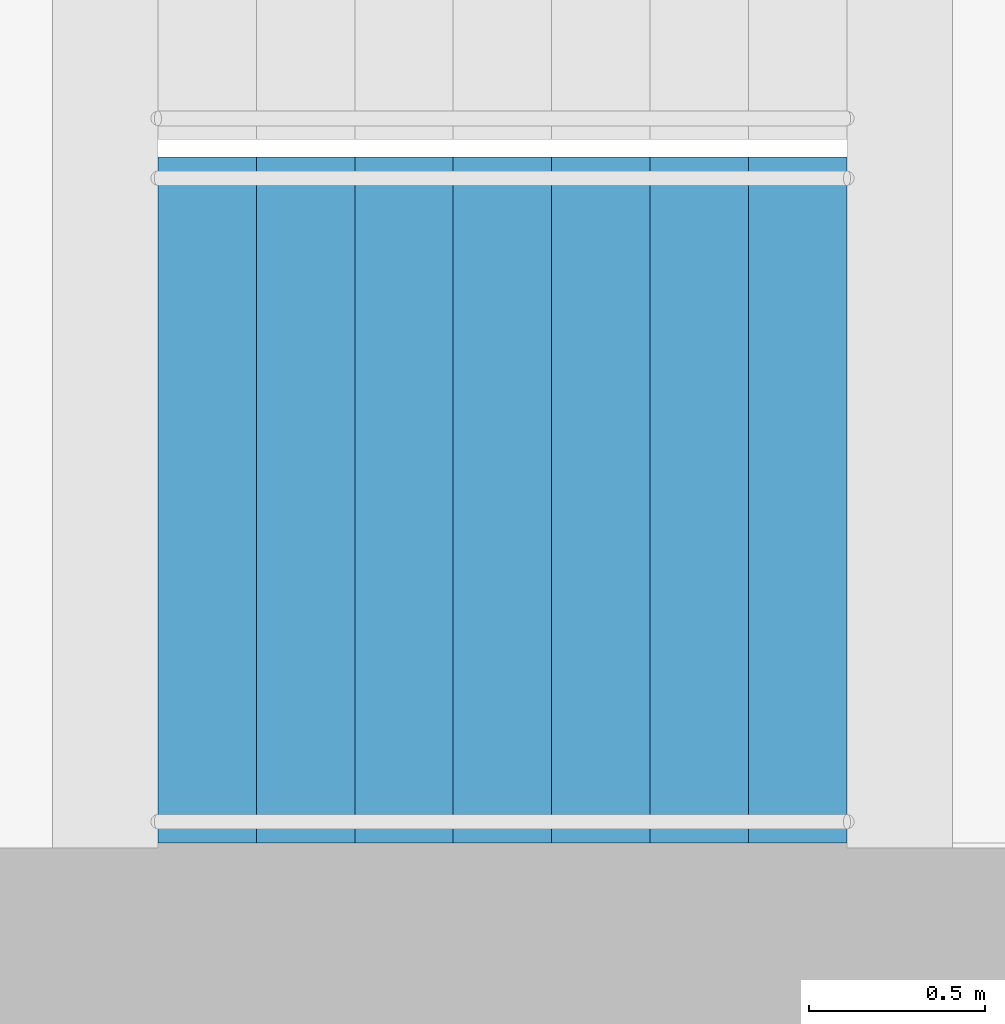
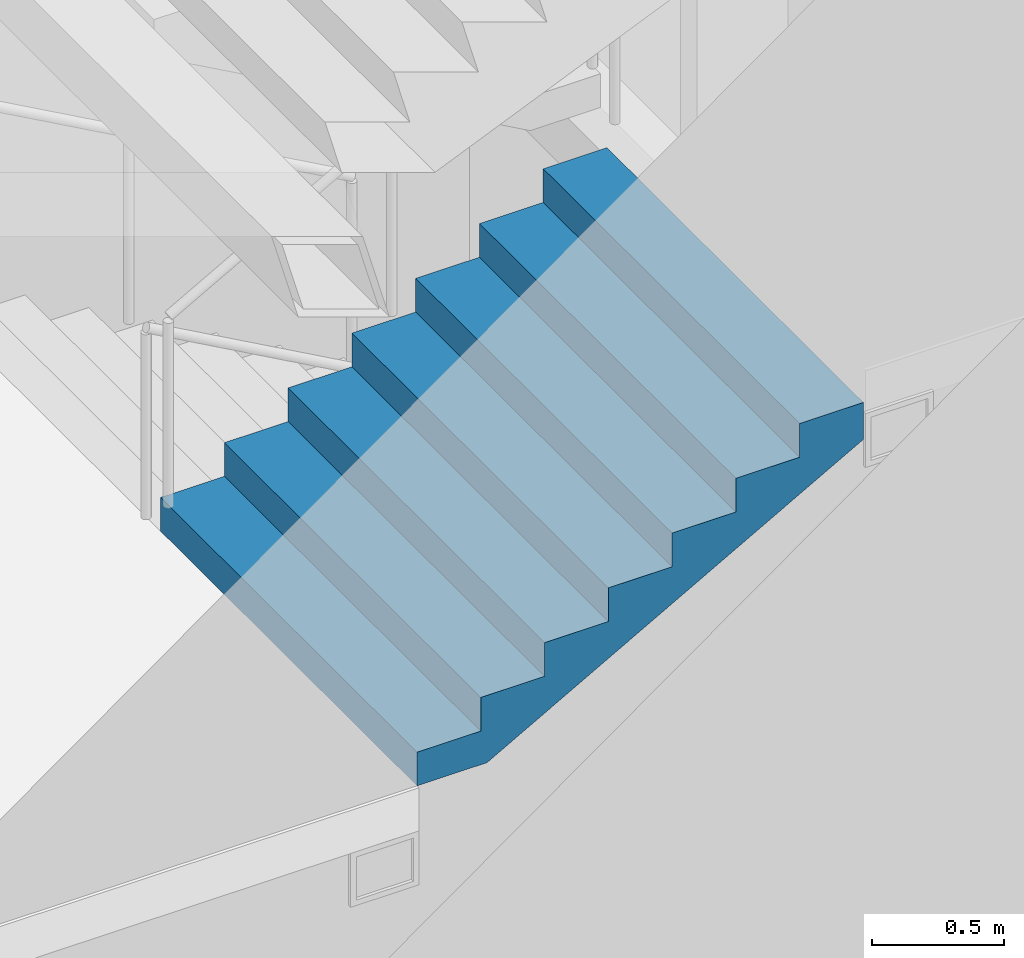
# One storey, part 24 of 37: 1 stair flight, 1 element without a shape of its own.
"""IFC4 building model written with IfcOpenShell, lengths in metres."""

from ifc_helpers import new_model, si_unit, direction, frame, origin, place, context, subcontext, project, spatial, triangles, material, type_object, element, aggregate, save


model = new_model("IFC4")

# Units and contexts
model_context = context("Model", 3, precision=1e-05, world=origin(), true_north=direction((0.0, 1.0)))
body_context = subcontext(model_context, "Body", "Model", "MODEL_VIEW")
ifc_project = project(units=[si_unit("LENGTHUNIT", "METRE"), si_unit("AREAUNIT", "SQUARE_METRE"), si_unit("VOLUMEUNIT", "CUBIC_METRE"), si_unit("PLANEANGLEUNIT", "RADIAN"), si_unit("MASSUNIT", "GRAM", prefix="KILO")], contexts=[model_context])

# Site, building, storey
site_placement = place(None, origin())
site = spatial("IfcSite", under=ifc_project, at=site_placement, CompositionType="ELEMENT")
building_placement = place(site_placement, origin())
building = spatial("IfcBuilding", under=site, at=building_placement, Name="Orbita Commons", CompositionType="ELEMENT")
storey_placement = place(building_placement, frame((0.0, 0.0, 6.0)))
storey = spatial("IfcBuildingStorey", under=building, at=storey_placement, Name="L01", CompositionType="ELEMENT", Elevation=6.0)

# Stair, stair flight
ifc_material_1 = material(Name="Precast concrete C40/50", Category="concrete")
stair_type = type_object("IfcStairType", Name="Exit stair S2 4 flights 8 risers 156", PredefinedType="HALF_TURN_STAIR", material=ifc_material_1)
stair_placement = place(storey_placement, origin())
stair = element("IfcStair", 1, at=stair_placement, inside=storey, type_object=stair_type, Name="Exit stair S2 L01", PredefinedType="HALF_TURN_STAIR")
ifc_material_2 = material(Name="Precast concrete C40/50", Category="concrete")
stair_flight_type = type_object("IfcStairFlightType", Name="Stair flight 8 risers 156 x 280", PredefinedType="STRAIGHT", material=ifc_material_2)
stair_flight_placement = place(storey_placement, frame((61.590087890625, 27.27490234375, 1.25), z_axis=(0.0, 0.0, 1.0), x_axis=(1.0, 0.0, 0.0)))
stair_flight = element("IfcStairFlight", 2, at=stair_flight_placement, type_object=stair_flight_type, Name="S2 flight 2", NumberOfRisers=8, NumberOfTreads=7, PredefinedType="STRAIGHT", RiserHeight=0.15625, TreadLength=0.28, context=body_context, shape_type="Tessellation", body=[
    triangles([(0.0, 0.974976, 0.0), (0.0, 0.974976, 0.019531), (0.0, 0.81248, 0.019531), (0.0, 0.81248, 0.0), (0.0, 0.649984, 0.019531), (0.0, 0.649984, 0.0), (0.0, 0.487488, 0.019531), (0.0, 0.487488, 0.0), (0.0, 0.324992, 0.019531), (0.0, 0.324992, 0.0), (0.0, 0.162496, 0.019531), (0.0, 0.162496, 0.0), (0.0, 0.0, 0.019531), (0.0, 0.0, 0.0), (0.0, -0.162496, 0.019531), (0.0, -0.162496, 0.0), (0.0, -0.324992, 0.019531), (0.0, -0.324992, 0.0), (0.0, -0.487488, 0.019531), (0.0, -0.487488, 0.0), (0.0, -0.649984, 0.019531), (0.0, -0.649984, 0.0), (0.0, -0.81248, 0.019531), (0.0, -0.81248, 0.0), (0.0, -0.974976, 0.019531), (0.0, -0.974976, 0.0), (0.0, 0.974976, 0.039062), (0.0, 0.81248, 0.039062), (0.0, 0.649984, 0.039062), (0.0, 0.487488, 0.039062), (0.0, 0.324992, 0.039062), (0.0, 0.162496, 0.039062), (0.0, 0.0, 0.039062), (0.0, -0.162496, 0.039062), (0.0, -0.324992, 0.039062), (0.0, -0.487488, 0.039062), (0.0, -0.649984, 0.039062), (0.0, -0.81248, 0.039062), (0.0, -0.974976, 0.039062), (0.0, 0.974976, 0.058594), (0.0, 0.81248, 0.058594), (0.0, 0.649984, 0.058594), (0.0, 0.487488, 0.058594), (0.0, 0.324992, 0.058594), (0.0, 0.162496, 0.058594), (0.0, 0.0, 0.058594), (0.0, -0.162496, 0.058594), (0.0, -0.324992, 0.058594), (0.0, -0.487488, 0.058594), (0.0, -0.649984, 0.058594), (0.0, -0.81248, 0.058594), (0.0, -0.974976, 0.058594), (0.0, 0.974976, 0.078125), (0.0, 0.81248, 0.078125), (0.0, 0.649984, 0.078125), (0.0, 0.487488, 0.078125), (0.0, 0.324992, 0.078125), (0.0, 0.162496, 0.078125), (0.0, 0.0, 0.078125), (0.0, -0.162496, 0.078125), (0.0, -0.324992, 0.078125), (0.0, -0.487488, 0.078125), (0.0, -0.649984, 0.078125), (0.0, -0.81248, 0.078125), (0.0, -0.974976, 0.078125), (0.0, 0.974976, 0.097656), (0.0, 0.81248, 0.097656), (0.0, 0.649984, 0.097656), (0.0, 0.487488, 0.097656), (0.0, 0.324992, 0.097656), (0.0, 0.162496, 0.097656), (0.0, 0.0, 0.097656), (0.0, -0.162496, 0.097656), (0.0, -0.324992, 0.097656), (0.0, -0.487488, 0.097656), (0.0, -0.649984, 0.097656), (0.0, -0.81248, 0.097656), (0.0, -0.974976, 0.097656), (0.0, 0.974976, 0.117188), (0.0, 0.81248, 0.117188), (0.0, 0.649984, 0.117188), (0.0, 0.487488, 0.117188), (0.0, 0.324992, 0.117188), (0.0, 0.162496, 0.117188), (0.0, 0.0, 0.117188), (0.0, -0.162496, 0.117188), (0.0, -0.324992, 0.117188), (0.0, -0.487488, 0.117188), (0.0, -0.649984, 0.117188), (0.0, -0.81248, 0.117188), (0.0, -0.974976, 0.117188), (0.0, 0.974976, 0.136719), (0.0, 0.81248, 0.136719), (0.0, 0.649984, 0.136719), (0.0, 0.487488, 0.136719), (0.0, 0.324992, 0.136719), (0.0, 0.162496, 0.136719), (0.0, 0.0, 0.136719), (0.0, -0.162496, 0.136719), (0.0, -0.324992, 0.136719), (0.0, -0.487488, 0.136719), (0.0, -0.649984, 0.136719), (0.0, -0.81248, 0.136719), (0.0, -0.974976, 0.136719), (0.0, 0.974976, 0.15625), (0.0, 0.81248, 0.15625), (0.0, 0.649984, 0.15625), (0.0, 0.487488, 0.15625), (0.0, 0.324992, 0.15625), (0.0, 0.162496, 0.15625), (0.0, 0.0, 0.15625), (0.0, -0.162496, 0.15625), (0.0, -0.324992, 0.15625), (0.0, -0.487488, 0.15625), (0.0, -0.649984, 0.15625), (0.0, -0.81248, 0.15625), (0.0, -0.974976, 0.15625), (0.28, 0.974976, 0.15625), (0.28, 0.81248, 0.15625), (0.28, 0.649984, 0.15625), (0.28, 0.487488, 0.15625), (0.28, 0.324992, 0.15625), (0.28, 0.162496, 0.15625), (0.28, 0.0, 0.15625), (0.28, -0.162496, 0.15625), (0.28, -0.324992, 0.15625), (0.28, -0.487488, 0.15625), (0.28, -0.649984, 0.15625), (0.28, -0.81248, 0.15625), (0.28, -0.974976, 0.15625), (0.28, 0.974976, 0.3125), (0.28, 0.81248, 0.3125), (0.28, 0.649984, 0.3125), (0.28, 0.487488, 0.3125), (0.28, 0.324992, 0.3125), (0.28, 0.162496, 0.3125), (0.28, 0.0, 0.3125), (0.28, -0.162496, 0.3125), (0.28, -0.324992, 0.3125), (0.28, -0.487488, 0.3125), (0.28, -0.649984, 0.3125), (0.28, -0.81248, 0.3125), (0.28, -0.974976, 0.3125), (0.56, 0.974976, 0.3125), (0.56, 0.81248, 0.3125), (0.56, 0.649984, 0.3125), (0.56, 0.487488, 0.3125), (0.56, 0.324992, 0.3125), (0.56, 0.162496, 0.3125), (0.56, 0.0, 0.3125), (0.56, -0.162496, 0.3125), (0.56, -0.324992, 0.3125), (0.56, -0.487488, 0.3125), (0.56, -0.649984, 0.3125), (0.56, -0.81248, 0.3125), (0.56, -0.974976, 0.3125), (0.56, 0.974976, 0.46875), (0.56, 0.81248, 0.46875), (0.56, 0.649984, 0.46875), (0.56, 0.487488, 0.46875), (0.56, 0.324992, 0.46875), (0.56, 0.162496, 0.46875), (0.56, 0.0, 0.46875), (0.56, -0.162496, 0.46875), (0.56, -0.324992, 0.46875), (0.56, -0.487488, 0.46875), (0.56, -0.649984, 0.46875), (0.56, -0.81248, 0.46875), (0.56, -0.974976, 0.46875), (0.84, 0.974976, 0.46875), (0.84, 0.81248, 0.46875), (0.84, 0.649984, 0.46875), (0.84, 0.487488, 0.46875), (0.84, 0.324992, 0.46875), (0.84, 0.162496, 0.46875), (0.84, 0.0, 0.46875), (0.84, -0.162496, 0.46875), (0.84, -0.324992, 0.46875), (0.84, -0.487488, 0.46875), (0.84, -0.649984, 0.46875), (0.84, -0.81248, 0.46875), (0.84, -0.974976, 0.46875), (0.84, 0.974976, 0.625), (0.84, 0.81248, 0.625), (0.84, 0.649984, 0.625), (0.84, 0.487488, 0.625), (0.84, 0.324992, 0.625), (0.84, 0.162496, 0.625), (0.84, 0.0, 0.625), (0.84, -0.162496, 0.625), (0.84, -0.324992, 0.625), (0.84, -0.487488, 0.625), (0.84, -0.649984, 0.625), (0.84, -0.81248, 0.625), (0.84, -0.974976, 0.625), (1.12, 0.974976, 0.625), (1.12, 0.81248, 0.625), (1.12, 0.649984, 0.625), (1.12, 0.487488, 0.625), (1.12, 0.324992, 0.625), (1.12, 0.162496, 0.625), (1.12, 0.0, 0.625), (1.12, -0.162496, 0.625), (1.12, -0.324992, 0.625), (1.12, -0.487488, 0.625), (1.12, -0.649984, 0.625), (1.12, -0.81248, 0.625), (1.12, -0.974976, 0.625), (1.12, 0.974976, 0.78125), (1.12, 0.81248, 0.78125), (1.12, 0.649984, 0.78125), (1.12, 0.487488, 0.78125), (1.12, 0.324992, 0.78125), (1.12, 0.162496, 0.78125), (1.12, 0.0, 0.78125), (1.12, -0.162496, 0.78125), (1.12, -0.324992, 0.78125), (1.12, -0.487488, 0.78125), (1.12, -0.649984, 0.78125), (1.12, -0.81248, 0.78125), (1.12, -0.974976, 0.78125), (1.4, 0.974976, 0.78125), (1.4, 0.81248, 0.78125), (1.4, 0.649984, 0.78125), (1.4, 0.487488, 0.78125), (1.4, 0.324992, 0.78125), (1.4, 0.162496, 0.78125), (1.4, 0.0, 0.78125), (1.4, -0.162496, 0.78125), (1.4, -0.324992, 0.78125), (1.4, -0.487488, 0.78125), (1.4, -0.649984, 0.78125), (1.4, -0.81248, 0.78125), (1.4, -0.974976, 0.78125), (1.4, 0.974976, 0.9375), (1.4, 0.81248, 0.9375), (1.4, 0.649984, 0.9375), (1.4, 0.487488, 0.9375), (1.4, 0.324992, 0.9375), (1.4, 0.162496, 0.9375), (1.4, 0.0, 0.9375), (1.4, -0.162496, 0.9375), (1.4, -0.324992, 0.9375), (1.4, -0.487488, 0.9375), (1.4, -0.649984, 0.9375), (1.4, -0.81248, 0.9375), (1.4, -0.974976, 0.9375), (1.68, 0.974976, 0.9375), (1.68, 0.81248, 0.9375), (1.68, 0.649984, 0.9375), (1.68, 0.487488, 0.9375), (1.68, 0.324992, 0.9375), (1.68, 0.162496, 0.9375), (1.68, 0.0, 0.9375), (1.68, -0.162496, 0.9375), (1.68, -0.324992, 0.9375), (1.68, -0.487488, 0.9375), (1.68, -0.649984, 0.9375), (1.68, -0.81248, 0.9375), (1.68, -0.974976, 0.9375), (1.68, 0.974976, 1.09375), (1.68, 0.81248, 1.09375), (1.68, 0.649984, 1.09375), (1.68, 0.487488, 1.09375), (1.68, 0.324992, 1.09375), (1.68, 0.162496, 1.09375), (1.68, 0.0, 1.09375), (1.68, -0.162496, 1.09375), (1.68, -0.324992, 1.09375), (1.68, -0.487488, 1.09375), (1.68, -0.649984, 1.09375), (1.68, -0.81248, 1.09375), (1.68, -0.974976, 1.09375), (1.96, 0.974976, 1.09375), (1.96, 0.81248, 1.09375), (1.96, 0.649984, 1.09375), (1.96, 0.487488, 1.09375), (1.96, 0.324992, 1.09375), (1.96, 0.162496, 1.09375), (1.96, 0.0, 1.09375), (1.96, -0.162496, 1.09375), (1.96, -0.324992, 1.09375), (1.96, -0.487488, 1.09375), (1.96, -0.649984, 1.09375), (1.96, -0.81248, 1.09375), (1.96, -0.974976, 1.09375), (1.96, 0.974976, 1.072292), (1.96, 0.81248, 1.072292), (1.96, 0.649984, 1.072292), (1.96, 0.487488, 1.072292), (1.96, 0.324992, 1.072292), (1.96, 0.162496, 1.072292), (1.96, 0.0, 1.072292), (1.96, -0.162496, 1.072292), (1.96, -0.324992, 1.072292), (1.96, -0.487488, 1.072292), (1.96, -0.649984, 1.072292), (1.96, -0.81248, 1.072292), (1.96, -0.974976, 1.072292), (1.96, 0.974976, 1.050834), (1.96, 0.81248, 1.050834), (1.96, 0.649984, 1.050834), (1.96, 0.487488, 1.050834), (1.96, 0.324992, 1.050834), (1.96, 0.162496, 1.050834), (1.96, 0.0, 1.050834), (1.96, -0.162496, 1.050834), (1.96, -0.324992, 1.050834), (1.96, -0.487488, 1.050834), (1.96, -0.649984, 1.050834), (1.96, -0.81248, 1.050834), (1.96, -0.974976, 1.050834), (1.96, 0.974976, 1.029376), (1.96, 0.81248, 1.029376), (1.96, 0.649984, 1.029376), (1.96, 0.487488, 1.029376), (1.96, 0.324992, 1.029376), (1.96, 0.162496, 1.029376), (1.96, 0.0, 1.029376), (1.96, -0.162496, 1.029376), (1.96, -0.324992, 1.029376), (1.96, -0.487488, 1.029376), (1.96, -0.649984, 1.029376), (1.96, -0.81248, 1.029376), (1.96, -0.974976, 1.029376), (1.96, 0.974976, 1.007919), (1.96, 0.81248, 1.007919), (1.96, 0.649984, 1.007919), (1.96, 0.487488, 1.007919), (1.96, 0.324992, 1.007919), (1.96, 0.162496, 1.007919), (1.96, 0.0, 1.007919), (1.96, -0.162496, 1.007919), (1.96, -0.324992, 1.007919), (1.96, -0.487488, 1.007919), (1.96, -0.649984, 1.007919), (1.96, -0.81248, 1.007919), (1.96, -0.974976, 1.007919), (1.96, 0.974976, 0.986461), (1.96, 0.81248, 0.986461), (1.96, 0.649984, 0.986461), (1.96, 0.487488, 0.986461), (1.96, 0.324992, 0.986461), (1.96, 0.162496, 0.986461), (1.96, 0.0, 0.986461), (1.96, -0.162496, 0.986461), (1.96, -0.324992, 0.986461), (1.96, -0.487488, 0.986461), (1.96, -0.649984, 0.986461), (1.96, -0.81248, 0.986461), (1.96, -0.974976, 0.986461), (1.96, 0.974976, 0.965003), (1.96, 0.81248, 0.965003), (1.96, 0.649984, 0.965003), (1.96, 0.487488, 0.965003), (1.96, 0.324992, 0.965003), (1.96, 0.162496, 0.965003), (1.96, 0.0, 0.965003), (1.96, -0.162496, 0.965003), (1.96, -0.324992, 0.965003), (1.96, -0.487488, 0.965003), (1.96, -0.649984, 0.965003), (1.96, -0.81248, 0.965003), (1.96, -0.974976, 0.965003), (1.96, 0.974976, 0.943545), (1.96, 0.81248, 0.943545), (1.96, 0.649984, 0.943545), (1.96, 0.487488, 0.943545), (1.96, 0.324992, 0.943545), (1.96, 0.162496, 0.943545), (1.96, 0.0, 0.943545), (1.96, -0.162496, 0.943545), (1.96, -0.324992, 0.943545), (1.96, -0.487488, 0.943545), (1.96, -0.649984, 0.943545), (1.96, -0.81248, 0.943545), (1.96, -0.974976, 0.943545), (1.96, 0.974976, 0.922087), (1.96, 0.81248, 0.922087), (1.96, 0.649984, 0.922087), (1.96, 0.487488, 0.922087), (1.96, 0.324992, 0.922087), (1.96, 0.162496, 0.922087), (1.96, 0.0, 0.922087), (1.96, -0.162496, 0.922087), (1.96, -0.324992, 0.922087), (1.96, -0.487488, 0.922087), (1.96, -0.649984, 0.922087), (1.96, -0.81248, 0.922087), (1.96, -0.974976, 0.922087), (0.30762, 0.974976, 0.0), (0.30762, 0.81248, 0.0), (0.30762, 0.649984, 0.0), (0.30762, 0.487488, 0.0), (0.30762, 0.324992, 0.0), (0.30762, 0.162496, 0.0), (0.30762, 0.0, 0.0), (0.30762, -0.162496, 0.0), (0.30762, -0.324992, 0.0), (0.30762, -0.487488, 0.0), (0.30762, -0.649984, 0.0), (0.30762, -0.81248, 0.0), (0.30762, -0.974976, 0.0)], [[3, 2, 1], [4, 3, 1], [5, 3, 4], [6, 5, 4], [7, 5, 6], [8, 7, 6], [9, 7, 8], [10, 9, 8], [11, 9, 10], [12, 11, 10], [13, 11, 12], [14, 13, 12], [15, 13, 14], [16, 15, 14], [17, 15, 16], [18, 17, 16], [19, 17, 18], [20, 19, 18], [21, 19, 20], [22, 21, 20], [23, 21, 22], [24, 23, 22], [25, 23, 24], [26, 25, 24], [28, 27, 2], [3, 28, 2], [29, 28, 3], [5, 29, 3], [30, 29, 5], [7, 30, 5], [31, 30, 7], [9, 31, 7], [32, 31, 9], [11, 32, 9], [33, 32, 11], [13, 33, 11], [34, 33, 13], [15, 34, 13], [35, 34, 15], [17, 35, 15], [36, 35, 17], [19, 36, 17], [37, 36, 19], [21, 37, 19], [38, 37, 21], [23, 38, 21], [39, 38, 23], [25, 39, 23], [41, 40, 27], [28, 41, 27], [42, 41, 28], [29, 42, 28], [43, 42, 29], [30, 43, 29], [44, 43, 30], [31, 44, 30], [45, 44, 31], [32, 45, 31], [46, 45, 32], [33, 46, 32], [47, 46, 33], [34, 47, 33], [48, 47, 34], [35, 48, 34], [49, 48, 35], [36, 49, 35], [50, 49, 36], [37, 50, 36], [51, 50, 37], [38, 51, 37], [52, 51, 38], [39, 52, 38], [54, 53, 40], [41, 54, 40], [55, 54, 41], [42, 55, 41], [56, 55, 42], [43, 56, 42], [57, 56, 43], [44, 57, 43], [58, 57, 44], [45, 58, 44], [59, 58, 45], [46, 59, 45], [60, 59, 46], [47, 60, 46], [61, 60, 47], [48, 61, 47], [62, 61, 48], [49, 62, 48], [63, 62, 49], [50, 63, 49], [64, 63, 50], [51, 64, 50], [65, 64, 51], [52, 65, 51], [67, 66, 53], [54, 67, 53], [68, 67, 54], [55, 68, 54], [69, 68, 55], [56, 69, 55], [70, 69, 56], [57, 70, 56], [71, 70, 57], [58, 71, 57], [72, 71, 58], [59, 72, 58], [73, 72, 59], [60, 73, 59], [74, 73, 60], [61, 74, 60], [75, 74, 61], [62, 75, 61], [76, 75, 62], [63, 76, 62], [77, 76, 63], [64, 77, 63], [78, 77, 64], [65, 78, 64], [80, 79, 66], [67, 80, 66], [81, 80, 67], [68, 81, 67], [82, 81, 68], [69, 82, 68], [83, 82, 69], [70, 83, 69], [84, 83, 70], [71, 84, 70], [85, 84, 71], [72, 85, 71], [86, 85, 72], [73, 86, 72], [87, 86, 73], [74, 87, 73], [88, 87, 74], [75, 88, 74], [89, 88, 75], [76, 89, 75], [90, 89, 76], [77, 90, 76], [91, 90, 77], [78, 91, 77], [93, 92, 79], [80, 93, 79], [94, 93, 80], [81, 94, 80], [95, 94, 81], [82, 95, 81], [96, 95, 82], [83, 96, 82], [97, 96, 83], [84, 97, 83], [98, 97, 84], [85, 98, 84], [99, 98, 85], [86, 99, 85], [100, 99, 86], [87, 100, 86], [101, 100, 87], [88, 101, 87], [102, 101, 88], [89, 102, 88], [103, 102, 89], [90, 103, 89], [104, 103, 90], [91, 104, 90], [106, 105, 92], [93, 106, 92], [107, 106, 93], [94, 107, 93], [108, 107, 94], [95, 108, 94], [109, 108, 95], [96, 109, 95], [110, 109, 96], [97, 110, 96], [111, 110, 97], [98, 111, 97], [112, 111, 98], [99, 112, 98], [113, 112, 99], [100, 113, 99], [114, 113, 100], [101, 114, 100], [115, 114, 101], [102, 115, 101], [116, 115, 102], [103, 116, 102], [117, 116, 103], [104, 117, 103], [119, 118, 105], [106, 119, 105], [120, 119, 106], [107, 120, 106], [121, 120, 107], [108, 121, 107], [122, 121, 108], [109, 122, 108], [123, 122, 109], [110, 123, 109], [124, 123, 110], [111, 124, 110], [125, 124, 111], [112, 125, 111], [126, 125, 112], [113, 126, 112], [127, 126, 113], [114, 127, 113], [128, 127, 114], [115, 128, 114], [129, 128, 115], [116, 129, 115], [130, 129, 116], [117, 130, 116], [132, 131, 118], [119, 132, 118], [133, 132, 119], [120, 133, 119], [134, 133, 120], [121, 134, 120], [135, 134, 121], [122, 135, 121], [136, 135, 122], [123, 136, 122], [137, 136, 123], [124, 137, 123], [138, 137, 124], [125, 138, 124], [139, 138, 125], [126, 139, 125], [140, 139, 126], [127, 140, 126], [141, 140, 127], [128, 141, 127], [142, 141, 128], [129, 142, 128], [143, 142, 129], [130, 143, 129], [145, 144, 131], [132, 145, 131], [146, 145, 132], [133, 146, 132], [147, 146, 133], [134, 147, 133], [148, 147, 134], [135, 148, 134], [149, 148, 135], [136, 149, 135], [150, 149, 136], [137, 150, 136], [151, 150, 137], [138, 151, 137], [152, 151, 138], [139, 152, 138], [153, 152, 139], [140, 153, 139], [154, 153, 140], [141, 154, 140], [155, 154, 141], [142, 155, 141], [156, 155, 142], [143, 156, 142], [158, 157, 144], [145, 158, 144], [159, 158, 145], [146, 159, 145], [160, 159, 146], [147, 160, 146], [161, 160, 147], [148, 161, 147], [162, 161, 148], [149, 162, 148], [163, 162, 149], [150, 163, 149], [164, 163, 150], [151, 164, 150], [165, 164, 151], [152, 165, 151], [166, 165, 152], [153, 166, 152], [167, 166, 153], [154, 167, 153], [168, 167, 154], [155, 168, 154], [169, 168, 155], [156, 169, 155], [171, 170, 157], [158, 171, 157], [172, 171, 158], [159, 172, 158], [173, 172, 159], [160, 173, 159], [174, 173, 160], [161, 174, 160], [175, 174, 161], [162, 175, 161], [176, 175, 162], [163, 176, 162], [177, 176, 163], [164, 177, 163], [178, 177, 164], [165, 178, 164], [179, 178, 165], [166, 179, 165], [180, 179, 166], [167, 180, 166], [181, 180, 167], [168, 181, 167], [182, 181, 168], [169, 182, 168], [184, 183, 170], [171, 184, 170], [185, 184, 171], [172, 185, 171], [186, 185, 172], [173, 186, 172], [187, 186, 173], [174, 187, 173], [188, 187, 174], [175, 188, 174], [189, 188, 175], [176, 189, 175], [190, 189, 176], [177, 190, 176], [191, 190, 177], [178, 191, 177], [192, 191, 178], [179, 192, 178], [193, 192, 179], [180, 193, 179], [194, 193, 180], [181, 194, 180], [195, 194, 181], [182, 195, 181], [197, 196, 183], [184, 197, 183], [198, 197, 184], [185, 198, 184], [199, 198, 185], [186, 199, 185], [200, 199, 186], [187, 200, 186], [201, 200, 187], [188, 201, 187], [202, 201, 188], [189, 202, 188], [203, 202, 189], [190, 203, 189], [204, 203, 190], [191, 204, 190], [205, 204, 191], [192, 205, 191], [206, 205, 192], [193, 206, 192], [207, 206, 193], [194, 207, 193], [208, 207, 194], [195, 208, 194], [210, 209, 196], [197, 210, 196], [211, 210, 197], [198, 211, 197], [212, 211, 198], [199, 212, 198], [213, 212, 199], [200, 213, 199], [214, 213, 200], [201, 214, 200], [215, 214, 201], [202, 215, 201], [216, 215, 202], [203, 216, 202], [217, 216, 203], [204, 217, 203], [218, 217, 204], [205, 218, 204], [219, 218, 205], [206, 219, 205], [220, 219, 206], [207, 220, 206], [221, 220, 207], [208, 221, 207], [223, 222, 209], [210, 223, 209], [224, 223, 210], [211, 224, 210], [225, 224, 211], [212, 225, 211], [226, 225, 212], [213, 226, 212], [227, 226, 213], [214, 227, 213], [228, 227, 214], [215, 228, 214], [229, 228, 215], [216, 229, 215], [230, 229, 216], [217, 230, 216], [231, 230, 217], [218, 231, 217], [232, 231, 218], [219, 232, 218], [233, 232, 219], [220, 233, 219], [234, 233, 220], [221, 234, 220], [236, 235, 222], [223, 236, 222], [237, 236, 223], [224, 237, 223], [238, 237, 224], [225, 238, 224], [239, 238, 225], [226, 239, 225], [240, 239, 226], [227, 240, 226], [241, 240, 227], [228, 241, 227], [242, 241, 228], [229, 242, 228], [243, 242, 229], [230, 243, 229], [244, 243, 230], [231, 244, 230], [245, 244, 231], [232, 245, 231], [246, 245, 232], [233, 246, 232], [247, 246, 233], [234, 247, 233], [249, 248, 235], [236, 249, 235], [250, 249, 236], [237, 250, 236], [251, 250, 237], [238, 251, 237], [252, 251, 238], [239, 252, 238], [253, 252, 239], [240, 253, 239], [254, 253, 240], [241, 254, 240], [255, 254, 241], [242, 255, 241], [256, 255, 242], [243, 256, 242], [257, 256, 243], [244, 257, 243], [258, 257, 244], [245, 258, 244], [259, 258, 245], [246, 259, 245], [260, 259, 246], [247, 260, 246], [262, 261, 248], [249, 262, 248], [263, 262, 249], [250, 263, 249], [264, 263, 250], [251, 264, 250], [265, 264, 251], [252, 265, 251], [266, 265, 252], [253, 266, 252], [267, 266, 253], [254, 267, 253], [268, 267, 254], [255, 268, 254], [269, 268, 255], [256, 269, 255], [270, 269, 256], [257, 270, 256], [271, 270, 257], [258, 271, 257], [272, 271, 258], [259, 272, 258], [273, 272, 259], [260, 273, 259], [275, 274, 261], [262, 275, 261], [276, 275, 262], [263, 276, 262], [277, 276, 263], [264, 277, 263], [278, 277, 264], [265, 278, 264], [279, 278, 265], [266, 279, 265], [280, 279, 266], [267, 280, 266], [281, 280, 267], [268, 281, 267], [282, 281, 268], [269, 282, 268], [283, 282, 269], [270, 283, 269], [284, 283, 270], [271, 284, 270], [285, 284, 271], [272, 285, 271], [286, 285, 272], [273, 286, 272], [288, 287, 274], [275, 288, 274], [289, 288, 275], [276, 289, 275], [290, 289, 276], [277, 290, 276], [291, 290, 277], [278, 291, 277], [292, 291, 278], [279, 292, 278], [293, 292, 279], [280, 293, 279], [294, 293, 280], [281, 294, 280], [295, 294, 281], [282, 295, 281], [296, 295, 282], [283, 296, 282], [297, 296, 283], [284, 297, 283], [298, 297, 284], [285, 298, 284], [299, 298, 285], [286, 299, 285], [301, 300, 287], [288, 301, 287], [302, 301, 288], [289, 302, 288], [303, 302, 289], [290, 303, 289], [304, 303, 290], [291, 304, 290], [305, 304, 291], [292, 305, 291], [306, 305, 292], [293, 306, 292], [307, 306, 293], [294, 307, 293], [308, 307, 294], [295, 308, 294], [309, 308, 295], [296, 309, 295], [310, 309, 296], [297, 310, 296], [311, 310, 297], [298, 311, 297], [312, 311, 298], [299, 312, 298], [314, 313, 300], [301, 314, 300], [315, 314, 301], [302, 315, 301], [316, 315, 302], [303, 316, 302], [317, 316, 303], [304, 317, 303], [318, 317, 304], [305, 318, 304], [319, 318, 305], [306, 319, 305], [320, 319, 306], [307, 320, 306], [321, 320, 307], [308, 321, 307], [322, 321, 308], [309, 322, 308], [323, 322, 309], [310, 323, 309], [324, 323, 310], [311, 324, 310], [325, 324, 311], [312, 325, 311], [327, 326, 313], [314, 327, 313], [328, 327, 314], [315, 328, 314], [329, 328, 315], [316, 329, 315], [330, 329, 316], [317, 330, 316], [331, 330, 317], [318, 331, 317], [332, 331, 318], [319, 332, 318], [333, 332, 319], [320, 333, 319], [334, 333, 320], [321, 334, 320], [335, 334, 321], [322, 335, 321], [336, 335, 322], [323, 336, 322], [337, 336, 323], [324, 337, 323], [338, 337, 324], [325, 338, 324], [340, 339, 326], [327, 340, 326], [341, 340, 327], [328, 341, 327], [342, 341, 328], [329, 342, 328], [343, 342, 329], [330, 343, 329], [344, 343, 330], [331, 344, 330], [345, 344, 331], [332, 345, 331], [346, 345, 332], [333, 346, 332], [347, 346, 333], [334, 347, 333], [348, 347, 334], [335, 348, 334], [349, 348, 335], [336, 349, 335], [350, 349, 336], [337, 350, 336], [351, 350, 337], [338, 351, 337], [353, 352, 339], [340, 353, 339], [354, 353, 340], [341, 354, 340], [355, 354, 341], [342, 355, 341], [356, 355, 342], [343, 356, 342], [357, 356, 343], [344, 357, 343], [358, 357, 344], [345, 358, 344], [359, 358, 345], [346, 359, 345], [360, 359, 346], [347, 360, 346], [361, 360, 347], [348, 361, 347], [362, 361, 348], [349, 362, 348], [363, 362, 349], [350, 363, 349], [364, 363, 350], [351, 364, 350], [366, 365, 352], [353, 366, 352], [367, 366, 353], [354, 367, 353], [368, 367, 354], [355, 368, 354], [369, 368, 355], [356, 369, 355], [370, 369, 356], [357, 370, 356], [371, 370, 357], [358, 371, 357], [372, 371, 358], [359, 372, 358], [373, 372, 359], [360, 373, 359], [374, 373, 360], [361, 374, 360], [375, 374, 361], [362, 375, 361], [376, 375, 362], [363, 376, 362], [377, 376, 363], [364, 377, 363], [379, 378, 365], [366, 379, 365], [380, 379, 366], [367, 380, 366], [381, 380, 367], [368, 381, 367], [382, 381, 368], [369, 382, 368], [383, 382, 369], [370, 383, 369], [384, 383, 370], [371, 384, 370], [385, 384, 371], [372, 385, 371], [386, 385, 372], [373, 386, 372], [387, 386, 373], [374, 387, 373], [388, 387, 374], [375, 388, 374], [389, 388, 375], [376, 389, 375], [390, 389, 376], [377, 390, 376], [392, 391, 378], [379, 392, 378], [393, 392, 379], [380, 393, 379], [394, 393, 380], [381, 394, 380], [395, 394, 381], [382, 395, 381], [396, 395, 382], [383, 396, 382], [397, 396, 383], [384, 397, 383], [398, 397, 384], [385, 398, 384], [399, 398, 385], [386, 399, 385], [400, 399, 386], [387, 400, 386], [401, 400, 387], [388, 401, 387], [402, 401, 388], [389, 402, 388], [403, 402, 389], [390, 403, 389], [4, 1, 391], [392, 4, 391], [6, 4, 392], [393, 6, 392], [8, 6, 393], [394, 8, 393], [10, 8, 394], [395, 10, 394], [12, 10, 395], [396, 12, 395], [14, 12, 396], [397, 14, 396], [16, 14, 397], [398, 16, 397], [18, 16, 398], [399, 18, 398], [20, 18, 399], [400, 20, 399], [22, 20, 400], [401, 22, 400], [24, 22, 401], [402, 24, 401], [26, 24, 402], [403, 26, 402], [378, 391, 1], [26, 403, 390], [365, 378, 1], [26, 390, 377], [352, 365, 1], [26, 377, 364], [339, 352, 1], [26, 364, 351], [326, 339, 1], [26, 351, 338], [313, 326, 1], [26, 338, 325], [300, 313, 1], [26, 325, 312], [287, 300, 1], [26, 312, 299], [261, 274, 287], [299, 286, 273], [248, 261, 287], [299, 273, 260], [222, 235, 248], [260, 247, 234], [222, 248, 287], [299, 260, 234], [196, 209, 222], [234, 221, 208], [196, 222, 287], [299, 234, 208], [170, 183, 196], [208, 195, 182], [170, 196, 287], [299, 208, 182], [144, 157, 170], [182, 169, 156], [144, 170, 287], [299, 182, 156], [118, 131, 144], [156, 143, 130], [118, 144, 287], [299, 156, 130], [118, 287, 1], [26, 299, 130], [92, 105, 118], [130, 117, 104], [79, 92, 118], [130, 104, 91], [66, 79, 118], [130, 91, 78], [53, 66, 118], [130, 78, 65], [40, 53, 118], [130, 65, 52], [27, 40, 118], [130, 52, 39], [2, 27, 118], [130, 39, 25], [1, 2, 118], [130, 25, 26]], closed=True),
])
aggregate(stair, [stair_flight])

save(model, "model.ifc")
